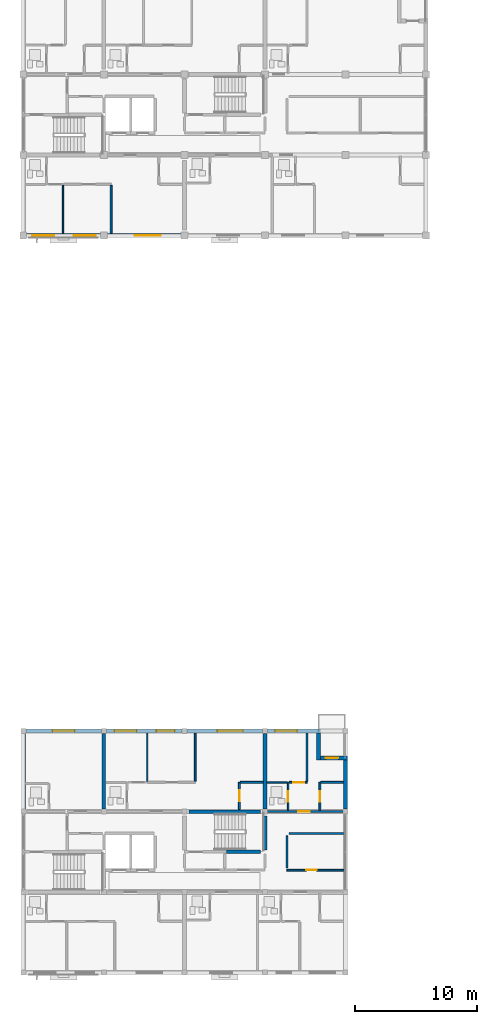
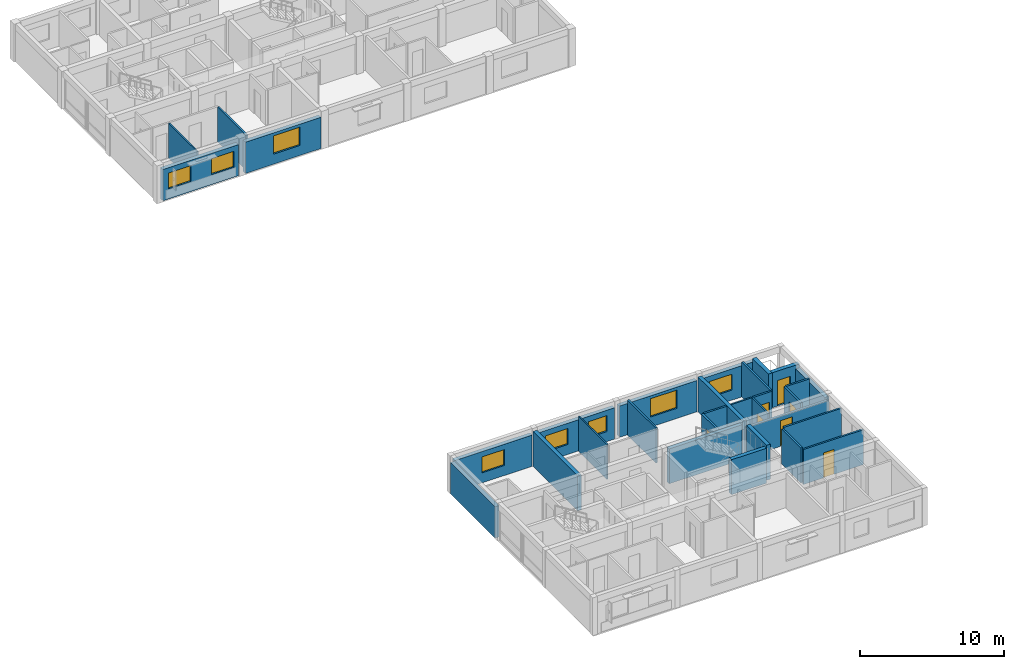
# One storey, part 29 of 53: 31 walls, 8 windows, 7 doors, 15 openings.
"""IFC4 building model written with IfcOpenShell, lengths in metres."""

from ifc_helpers import new_model, si_unit, direction, frame, frame_2d, origin, place, context, subcontext, project, spatial, rectangle, extrude, material, layer, layer_set, type_object, element, fill, save


model = new_model("IFC4")

# Units and contexts
model_context = context("Model", 3, precision=1e-05, world=origin(), true_north=direction((0.0, 1.0)))
body_context = subcontext(model_context, "Body", "Model", "MODEL_VIEW")
ifc_project = project(units=[si_unit("LENGTHUNIT", "METRE"), si_unit("AREAUNIT", "SQUARE_METRE"), si_unit("VOLUMEUNIT", "CUBIC_METRE"), si_unit("PLANEANGLEUNIT", "RADIAN"), si_unit("MASSUNIT", "GRAM", prefix="KILO")], contexts=[model_context])

# Site, building, storey
site_placement = place(None, origin())
site = spatial("IfcSite", under=ifc_project, at=site_placement, CompositionType="ELEMENT")
building_placement = place(site_placement, origin())
building = spatial("IfcBuilding", under=site, at=building_placement, Name="Kernevlak Ridge Housing Community", CompositionType="ELEMENT")
storey_placement = place(building_placement, frame((0.0, 0.0, 18.0)))
storey = spatial("IfcBuildingStorey", under=building, at=storey_placement, Name="L05", CompositionType="ELEMENT", Elevation=18.0)

# Wall, openings, windows
ifc_material_1 = material(Name="Concrete block masonry M10", Category="masonry")
ifc_layer_1 = layer(ifc_material_1, 0.320068359375, Name="Concrete block masonry M10")
ifc_layer_set_1 = layer_set([ifc_layer_1], Name="Concrete block masonry M10")
wall_type_1 = type_object("IfcWallType", Name="EW-02", PredefinedType="STANDARD", material=ifc_layer_set_1)
wall_1_placement = place(storey_placement, frame((15.875, 76.0, 0.0), z_axis=(0.0, 0.0, 1.0), x_axis=(1.0, 0.0, 0.0)))
wall_1 = element("IfcWall", 1, at=wall_1_placement, inside=storey, type_object=wall_type_1, Name="Exterior wall EW-02 L05 77", PredefinedType="STANDARD", context=body_context, shape_type="SweptSolid", body=[
    extrude(rectangle(XDim=6.050048828125, YDim=0.320068359375, at=frame_2d((3.02490234375, 0.0))), origin(), (0.0, 0.0, 1.0), 2.64990234375),
])
opening_1_placement = place(wall_1_placement, frame((0.449951171875, 0.0, 0.85009765625)))
opening_1 = element("IfcOpeningElement", 2, at=opening_1_placement, cuts=wall_1, Name="Opening WT-03", PredefinedType="OPENING", context=body_context, shape_type="SweptSolid", body=[
    extrude(rectangle(XDim=1.800048828125, YDim=1.35009765625, at=frame_2d((0.89990234375, 0.675048828125))), frame((0.0, 0.169921875, 0.0), z_axis=(0.0, -1.0, 0.0), x_axis=(1.0, 0.0, 0.0)), (0.0, 0.0, 1.0), 0.340087890625),
])
opening_2_placement = place(wall_1_placement, frame((3.875, 0.0, 0.85009765625)))
opening_2 = element("IfcOpeningElement", 3, at=opening_2_placement, cuts=wall_1, Name="Opening WT-03", PredefinedType="OPENING", context=body_context, shape_type="SweptSolid", body=[
    extrude(rectangle(XDim=1.800048828125, YDim=1.35009765625, at=frame_2d((0.89990234375, 0.675048828125))), frame((0.0, 0.169921875, 0.0), z_axis=(0.0, -1.0, 0.0), x_axis=(1.0, 0.0, 0.0)), (0.0, 0.0, 1.0), 0.340087890625),
])
ifc_material_2 = material(Name="Aluminium EN AW-6060 anodised and laminated glass", Category="aluminium")
window_type_1 = type_object("IfcWindowType", Name="WT-03", PartitioningType="SINGLE_PANEL", PredefinedType="WINDOW", material=ifc_material_2)
window_1_placement = place(opening_1_placement, origin())
window_1 = element("IfcWindow", 4, at=window_1_placement, inside=storey, type_object=window_type_1, Name="Window WT-03 L05 57", OverallHeight=1.35009765625, OverallWidth=1.800048828125, PartitioningType="SINGLE_PANEL", PredefinedType="WINDOW", context=body_context, shape_type="SweptSolid", body=[
    extrude(rectangle(XDim=1.800048828125, YDim=1.35009765625, at=frame_2d((0.89990234375, 0.675048828125))), frame((0.0, 0.030029296875, 0.0), z_axis=(0.0, -1.0, 0.0), x_axis=(1.0, 0.0, 0.0)), (0.0, 0.0, 1.0), 0.06005859375),
])
fill(opening_1, window_1)
window_2_placement = place(opening_2_placement, origin())
window_2 = element("IfcWindow", 5, at=window_2_placement, inside=storey, type_object=window_type_1, Name="Window WT-03 L05 58", OverallHeight=1.35009765625, OverallWidth=1.800048828125, PartitioningType="SINGLE_PANEL", PredefinedType="WINDOW", context=body_context, shape_type="SweptSolid", body=[
    extrude(rectangle(XDim=1.800048828125, YDim=1.35009765625, at=frame_2d((0.89990234375, 0.675048828125))), frame((0.0, 0.030029296875, 0.0), z_axis=(0.0, -1.0, 0.0), x_axis=(1.0, 0.0, 0.0)), (0.0, 0.0, 1.0), 0.06005859375),
])
fill(opening_2, window_2)

# Wall, opening, window
wall_2_placement = place(storey_placement, frame((22.47509765625, 76.0, 0.0), z_axis=(0.0, 0.0, 1.0), x_axis=(1.0, 0.0, 0.0)))
wall_2 = element("IfcWall", 6, at=wall_2_placement, inside=storey, type_object=wall_type_1, Name="Exterior wall EW-02 L05 78", PredefinedType="STANDARD", context=body_context, shape_type="SweptSolid", body=[
    extrude(rectangle(XDim=6.0498046875, YDim=0.320068359375, at=frame_2d((3.02490234375, 0.0))), origin(), (0.0, 0.0, 1.0), 2.64990234375),
])
opening_3_placement = place(wall_2_placement, frame((2.27099609375, 0.0, 0.85009765625)))
opening_3 = element("IfcOpeningElement", 7, at=opening_3_placement, cuts=wall_2, Name="Opening WT-05", PredefinedType="OPENING", context=body_context, shape_type="SweptSolid", body=[
    extrude(rectangle(XDim=2.10009765625, YDim=1.550048828125, at=frame_2d((1.050048828125, 0.77490234375))), frame((0.0, 0.169921875, 0.0), z_axis=(0.0, -1.0, 0.0), x_axis=(1.0, 0.0, 0.0)), (0.0, 0.0, 1.0), 0.340087890625),
])
window_type_2 = type_object("IfcWindowType", Name="WT-05", PartitioningType="SINGLE_PANEL", PredefinedType="WINDOW", material=ifc_material_2)
window_3_placement = place(opening_3_placement, origin())
window_3 = element("IfcWindow", 8, at=window_3_placement, inside=storey, type_object=window_type_2, Name="Window WT-05 L05 59", OverallHeight=1.550048828125, OverallWidth=2.10009765625, PartitioningType="SINGLE_PANEL", PredefinedType="WINDOW", context=body_context, shape_type="SweptSolid", body=[
    extrude(rectangle(XDim=2.10009765625, YDim=1.550048828125, at=frame_2d((1.050048828125, 0.77490234375))), frame((0.0, 0.030029296875, 0.0), z_axis=(0.0, -1.0, 0.0), x_axis=(1.0, 0.0, 0.0)), (0.0, 0.0, 1.0), 0.06005859375),
])
fill(opening_3, window_3)

wall_3_placement = place(storey_placement, frame((15.800048828125, 35.39990234375, 0.0), z_axis=(0.0, 0.0, 1.0), x_axis=(1.0, 0.0, 0.0)))
wall_3 = element("IfcWall", 9, at=wall_3_placement, inside=storey, type_object=wall_type_1, Name="Exterior wall EW-02 L05 785", PredefinedType="STANDARD", context=body_context, shape_type="SweptSolid", body=[
    extrude(rectangle(XDim=6.199951171875, YDim=0.320068359375, at=frame_2d((3.10009765625, 0.0))), origin(), (0.0, 0.0, 1.0), 2.64990234375),
])
opening_4_placement = place(wall_3_placement, frame((2.199951171875, 0.0, 0.85009765625)))
opening_4 = element("IfcOpeningElement", 10, at=opening_4_placement, cuts=wall_3, Name="Opening WT-03", PredefinedType="OPENING", context=body_context, shape_type="SweptSolid", body=[
    extrude(rectangle(XDim=1.800048828125, YDim=1.35009765625, at=frame_2d((0.89990234375, 0.675048828125))), frame((0.0, 0.169921875, 0.0), z_axis=(0.0, -1.0, 0.0), x_axis=(1.0, 0.0, 0.0)), (0.0, 0.0, 1.0), 0.340087890625),
])
window_4_placement = place(opening_4_placement, origin())
window_4 = element("IfcWindow", 11, at=window_4_placement, inside=storey, type_object=window_type_1, Name="Window WT-03 L05 656", OverallHeight=1.35009765625, OverallWidth=1.800048828125, PartitioningType="SINGLE_PANEL", PredefinedType="WINDOW", context=body_context, shape_type="SweptSolid", body=[
    extrude(rectangle(XDim=1.800048828125, YDim=1.35009765625, at=frame_2d((0.89990234375, 0.675048828125))), frame((0.0, 0.030029296875, 0.0), z_axis=(0.0, -1.0, 0.0), x_axis=(1.0, 0.0, 0.0)), (0.0, 0.0, 1.0), 0.06005859375),
])
fill(opening_4, window_4)

# Wall, openings, windows
wall_4_placement = place(storey_placement, frame((22.39990234375, 35.39990234375, 0.0), z_axis=(0.0, 0.0, 1.0), x_axis=(1.0, 0.0, 0.0)))
wall_4 = element("IfcWall", 12, at=wall_4_placement, inside=storey, type_object=wall_type_1, Name="Exterior wall EW-02 L05 786", PredefinedType="STANDARD", context=body_context, shape_type="SweptSolid", body=[
    extrude(rectangle(XDim=6.2001953125, YDim=0.320068359375, at=frame_2d((3.10009765625, 0.0))), origin(), (0.0, 0.0, 1.0), 2.64990234375),
])
opening_5_placement = place(wall_4_placement, frame((0.675048828125, 0.0, 0.85009765625)))
opening_5 = element("IfcOpeningElement", 13, at=opening_5_placement, cuts=wall_4, Name="Opening WT-03", PredefinedType="OPENING", context=body_context, shape_type="SweptSolid", body=[
    extrude(rectangle(XDim=1.800048828125, YDim=1.35009765625, at=frame_2d((0.89990234375, 0.675048828125))), frame((0.0, 0.169921875, 0.0), z_axis=(0.0, -1.0, 0.0), x_axis=(1.0, 0.0, 0.0)), (0.0, 0.0, 1.0), 0.340087890625),
])
opening_6_placement = place(wall_4_placement, frame((4.10009765625, 0.0, 0.85009765625)))
opening_6 = element("IfcOpeningElement", 14, at=opening_6_placement, cuts=wall_4, Name="Opening WT-02", PredefinedType="OPENING", context=body_context, shape_type="SweptSolid", body=[
    extrude(rectangle(XDim=1.5, YDim=1.35009765625, at=frame_2d((0.75, 0.675048828125))), frame((0.0, 0.169921875, 0.0), z_axis=(0.0, -1.0, 0.0), x_axis=(1.0, 0.0, 0.0)), (0.0, 0.0, 1.0), 0.340087890625),
])
window_type_3 = type_object("IfcWindowType", Name="WT-02", PartitioningType="SINGLE_PANEL", PredefinedType="WINDOW", material=ifc_material_2)
window_5_placement = place(opening_6_placement, origin())
window_5 = element("IfcWindow", 15, at=window_5_placement, inside=storey, type_object=window_type_3, Name="Window WT-02 L05 658", OverallHeight=1.35009765625, OverallWidth=1.5, PartitioningType="SINGLE_PANEL", PredefinedType="WINDOW", context=body_context, shape_type="SweptSolid", body=[
    extrude(rectangle(XDim=1.5, YDim=1.35009765625, at=frame_2d((0.75, 0.675048828125))), frame((0.0, 0.030029296875, 0.0), z_axis=(0.0, -1.0, 0.0), x_axis=(1.0, 0.0, 0.0)), (0.0, 0.0, 1.0), 0.06005859375),
])
fill(opening_6, window_5)
window_6_placement = place(opening_5_placement, origin())
window_6 = element("IfcWindow", 16, at=window_6_placement, inside=storey, type_object=window_type_1, Name="Window WT-03 L05 657", OverallHeight=1.35009765625, OverallWidth=1.800048828125, PartitioningType="SINGLE_PANEL", PredefinedType="WINDOW", context=body_context, shape_type="SweptSolid", body=[
    extrude(rectangle(XDim=1.800048828125, YDim=1.35009765625, at=frame_2d((0.89990234375, 0.675048828125))), frame((0.0, 0.030029296875, 0.0), z_axis=(0.0, -1.0, 0.0), x_axis=(1.0, 0.0, 0.0)), (0.0, 0.0, 1.0), 0.06005859375),
])
fill(opening_5, window_6)

# Wall, opening, window
wall_5_placement = place(storey_placement, frame((29.0, 35.39990234375, 0.0), z_axis=(0.0, 0.0, 1.0), x_axis=(1.0, 0.0, 0.0)))
wall_5 = element("IfcWall", 17, at=wall_5_placement, inside=storey, type_object=wall_type_1, Name="Exterior wall EW-02 L05 787", PredefinedType="STANDARD", context=body_context, shape_type="SweptSolid", body=[
    extrude(rectangle(XDim=6.199951171875, YDim=0.320068359375, at=frame_2d((3.10009765625, 0.0))), origin(), (0.0, 0.0, 1.0), 2.64990234375),
])
opening_7_placement = place(wall_5_placement, frame((2.49609375, 0.0, 0.85009765625)))
opening_7 = element("IfcOpeningElement", 18, at=opening_7_placement, cuts=wall_5, Name="Opening WT-05", PredefinedType="OPENING", context=body_context, shape_type="SweptSolid", body=[
    extrude(rectangle(XDim=2.10009765625, YDim=1.550048828125, at=frame_2d((1.050048828125, 0.77490234375))), frame((0.0, 0.169921875, 0.0), z_axis=(0.0, -1.0, 0.0), x_axis=(1.0, 0.0, 0.0)), (0.0, 0.0, 1.0), 0.340087890625),
])
window_7_placement = place(opening_7_placement, origin())
window_7 = element("IfcWindow", 19, at=window_7_placement, inside=storey, type_object=window_type_2, Name="Window WT-05 L05 659", OverallHeight=1.550048828125, OverallWidth=2.10009765625, PartitioningType="SINGLE_PANEL", PredefinedType="WINDOW", context=body_context, shape_type="SweptSolid", body=[
    extrude(rectangle(XDim=2.10009765625, YDim=1.550048828125, at=frame_2d((1.050048828125, 0.77490234375))), frame((0.0, 0.030029296875, 0.0), z_axis=(0.0, -1.0, 0.0), x_axis=(1.0, 0.0, 0.0)), (0.0, 0.0, 1.0), 0.06005859375),
])
fill(opening_7, window_7)

wall_6_placement = place(storey_placement, frame((35.60009765625, 35.39990234375, 0.0), z_axis=(0.0, 0.0, 1.0), x_axis=(1.0, 0.0, 0.0)))
wall_6 = element("IfcWall", 20, at=wall_6_placement, inside=storey, type_object=wall_type_1, Name="Exterior wall EW-02 L05 788", PredefinedType="STANDARD", context=body_context, shape_type="SweptSolid", body=[
    extrude(rectangle(XDim=4.35986328125, YDim=0.320068359375, at=frame_2d((2.179931640625, 0.0))), origin(), (0.0, 0.0, 1.0), 2.64990234375),
])
opening_8_placement = place(wall_6_placement, frame((0.625, 0.0, 0.85009765625)))
opening_8 = element("IfcOpeningElement", 21, at=opening_8_placement, cuts=wall_6, Name="Opening WT-03", PredefinedType="OPENING", context=body_context, shape_type="SweptSolid", body=[
    extrude(rectangle(XDim=1.800048828125, YDim=1.35009765625, at=frame_2d((0.89990234375, 0.675048828125))), frame((0.0, 0.169921875, 0.0), z_axis=(0.0, -1.0, 0.0), x_axis=(1.0, 0.0, 0.0)), (0.0, 0.0, 1.0), 0.340087890625),
])
window_8_placement = place(opening_8_placement, origin())
window_8 = element("IfcWindow", 22, at=window_8_placement, inside=storey, type_object=window_type_1, Name="Window WT-03 L05 660", OverallHeight=1.35009765625, OverallWidth=1.800048828125, PartitioningType="SINGLE_PANEL", PredefinedType="WINDOW", context=body_context, shape_type="SweptSolid", body=[
    extrude(rectangle(XDim=1.800048828125, YDim=1.35009765625, at=frame_2d((0.89990234375, 0.675048828125))), frame((0.0, 0.030029296875, 0.0), z_axis=(0.0, -1.0, 0.0), x_axis=(1.0, 0.0, 0.0)), (0.0, 0.0, 1.0), 0.06005859375),
])
fill(opening_8, window_8)

# Wall
wall_7_placement = place(storey_placement, frame((39.800048828125, 35.239990234375, 0.0), z_axis=(0.0, 0.0, 1.0), x_axis=(0.0, -1.0, 0.0)))
element("IfcWall", 23, at=wall_7_placement, inside=storey, type_object=wall_type_1, Name="Exterior wall EW-02 L05 789", PredefinedType="STANDARD", context=body_context, shape_type="SweptSolid", body=[
    extrude(rectangle(XDim=2.199951171875, YDim=0.320068359375, at=frame_2d((1.10009765625, 0.0))), origin(), (0.0, 0.0, 1.0), 2.9599609375),
])

# Wall, opening, door
wall_8_placement = place(storey_placement, frame((39.9599609375, 33.199951171875, 0.0), z_axis=(0.0, 0.0, 1.0), x_axis=(1.0, 0.0, 0.0)))
wall_8 = element("IfcWall", 24, at=wall_8_placement, inside=storey, type_object=wall_type_1, Name="Exterior wall EW-02 L05 790", PredefinedType="STANDARD", context=body_context, shape_type="SweptSolid", body=[
    extrude(rectangle(XDim=2.199951171875, YDim=0.320068359375, at=frame_2d((1.10009765625, 0.0))), origin(), (0.0, 0.0, 1.0), 2.9599609375),
])
opening_9_placement = place(wall_8_placement, frame((0.429931640625, 0.0, 0.0)))
opening_9 = element("IfcOpeningElement", 25, at=opening_9_placement, cuts=wall_8, Name="Opening E674", PredefinedType="OPENING", context=body_context, shape_type="SweptSolid", body=[
    extrude(rectangle(XDim=1.02001953125, YDim=2.159912109375, at=frame_2d((0.510009765625, 1.080078125))), frame((0.0, 0.169921875, 0.0), z_axis=(0.0, -1.0, 0.0), x_axis=(1.0, 0.0, 0.0)), (0.0, 0.0, 1.0), 0.340087890625),
])
ifc_material_3 = material(Name="Aluminium EN AW-6060 and laminated safety glass", Category="aluminium")
door_type_1 = type_object("IfcDoorType", Name="DT-33", OperationType="NOTDEFINED", PredefinedType="DOOR", material=ifc_material_3)
door_1_placement = place(opening_9_placement, origin())
door_1 = element("IfcDoor", 26, at=door_1_placement, inside=storey, type_object=door_type_1, Name="Flat D0523 corner balcony glazed door E674", OperationType="SINGLE_SWING_LEFT", OverallHeight=2.159912109375, OverallWidth=1.02001953125, PredefinedType="DOOR", context=body_context, shape_type="SweptSolid", body=[
    extrude(rectangle(XDim=1.02001953125, YDim=2.159912109375, at=frame_2d((0.510009765625, 1.080078125))), frame((0.0, 0.02490234375, 0.0), z_axis=(0.0, -1.0, 0.0), x_axis=(1.0, 0.0, 0.0)), (0.0, 0.0, 1.0), 0.050048828125),
])
fill(opening_9, door_1)

# Walls
wall_9_placement = place(storey_placement, frame((15.60009765625, 29.0, 0.0), z_axis=(0.0, 0.0, 1.0), x_axis=(0.0, 1.0, 0.0)))
element("IfcWall", 27, at=wall_9_placement, inside=storey, type_object=wall_type_1, Name="Exterior wall EW-02 L05 792", PredefinedType="STANDARD", context=body_context, shape_type="SweptSolid", body=[
    extrude(rectangle(XDim=6.199951171875, YDim=0.320068359375, at=frame_2d((3.10009765625, 0.0))), origin(), (0.0, 0.0, 1.0), 2.64990234375),
])
wall_10_placement = place(storey_placement, frame((42.0, 29.0, 0.0), z_axis=(0.0, 0.0, 1.0), x_axis=(0.0, 1.0, 0.0)))
element("IfcWall", 28, at=wall_10_placement, inside=storey, type_object=wall_type_1, Name="Exterior wall EW-02 L05 794", PredefinedType="STANDARD", context=body_context, shape_type="SweptSolid", body=[
    extrude(rectangle(XDim=4.0400390625, YDim=0.320068359375, at=frame_2d((2.02001953125, 0.0))), origin(), (0.0, 0.0, 1.0), 2.64990234375),
])

# Wall, opening, door
ifc_layer_2 = layer(ifc_material_1, 0.175048828125, Name="Concrete block masonry M10")
ifc_layer_set_2 = layer_set([ifc_layer_2], Name="Concrete block masonry M10")
wall_type_2 = type_object("IfcWallType", Name="PW-02", PredefinedType="PARTITIONING", material=ifc_layer_set_2)
wall_11_placement = place(storey_placement, frame((35.39990234375, 28.800048828125, 0.0), z_axis=(0.0, 0.0, 1.0), x_axis=(1.0, 0.0, 0.0)))
wall_11 = element("IfcWall", 29, at=wall_11_placement, inside=storey, type_object=wall_type_2, Name="Interior wall PW-02 WAL-INT-L05-3294", PredefinedType="PARTITIONING", context=body_context, shape_type="SweptSolid", body=[
    extrude(rectangle(XDim=6.60009765625, YDim=0.175048828125, at=frame_2d((3.300048828125, 0.0))), origin(), (0.0, 0.0, 1.0), 2.550048828125),
])
opening_10_placement = place(wall_11_placement, frame((2.72509765625, 0.0, 0.0)))
opening_10 = element("IfcOpeningElement", 30, at=opening_10_placement, cuts=wall_11, Name="Opening E670", PredefinedType="OPENING", context=body_context, shape_type="SweptSolid", body=[
    extrude(rectangle(XDim=0.9599609375, YDim=2.179931640625, at=frame_2d((0.47998046875, 1.08984375))), frame((0.0, 0.097412109375, 0.0), z_axis=(0.0, -1.0, 0.0), x_axis=(1.0, 0.0, 0.0)), (0.0, 0.0, 1.0), 0.195068359375),
])
ifc_material_4 = material(Name="Hardwood timber solid-core fire leaf", Category="wood")
door_type_2 = type_object("IfcDoorType", Name="DT-29", OperationType="NOTDEFINED", PredefinedType="DOOR", material=ifc_material_4)
door_2_placement = place(opening_10_placement, origin())
door_2 = element("IfcDoor", 31, at=door_2_placement, inside=storey, type_object=door_type_2, Name="Flat D0523 entrance fire door E670", OperationType="SINGLE_SWING_LEFT", OverallHeight=2.179931640625, OverallWidth=0.9599609375, PredefinedType="DOOR", context=body_context, shape_type="SweptSolid", body=[
    extrude(rectangle(XDim=0.9599609375, YDim=2.179931640625, at=frame_2d((0.47998046875, 1.08984375))), frame((0.0, 0.02490234375, 0.0), z_axis=(0.0, -1.0, 0.0), x_axis=(1.0, 0.0, 0.0)), (0.0, 0.0, 1.0), 0.050048828125),
])
fill(opening_10, door_2)

# Wall
ifc_layer_3 = layer(ifc_material_1, 0.14501953125, Name="Concrete block masonry M10")
ifc_layer_set_3 = layer_set([ifc_layer_3], Name="Concrete block masonry M10")
wall_type_3 = type_object("IfcWallType", Name="PW-03", PredefinedType="PARTITIONING", material=ifc_layer_set_3)
wall_12_placement = place(storey_placement, frame((22.7919921875, 80.117431640625, 0.0), z_axis=(0.0, 0.0, 1.0), x_axis=(0.0, -1.0, 0.0)))
element("IfcWall", 32, at=wall_12_placement, inside=storey, type_object=wall_type_3, Name="Interior wall PW-03 WAL-INT-L05-0338", PredefinedType="PARTITIONING", context=body_context, shape_type="SweptSolid", body=[
    extrude(rectangle(XDim=3.947509765625, YDim=0.14501953125, at=frame_2d((1.9736328125, 0.0))), origin(), (0.0, 0.0, 1.0), 2.9599609375),
])

# Wall, opening, door
wall_13_placement = place(storey_placement, frame((37.199951171875, 24.0, 0.0), z_axis=(0.0, 0.0, 1.0), x_axis=(1.0, 0.0, 0.0)))
wall_13 = element("IfcWall", 33, at=wall_13_placement, inside=storey, type_object=wall_type_3, Name="Interior wall PW-03 WAL-INT-L05-3258", PredefinedType="PARTITIONING", context=body_context, shape_type="SweptSolid", body=[
    extrude(rectangle(XDim=4.800048828125, YDim=0.14501953125, at=frame_2d((2.39990234375, 0.0))), origin(), (0.0, 0.0, 1.0), 2.9599609375),
])
opening_11_placement = place(wall_13_placement, frame((1.60009765625, 0.0, 0.0)))
opening_11 = element("IfcOpeningElement", 34, at=opening_11_placement, cuts=wall_13, Name="Opening E651", PredefinedType="OPENING", context=body_context, shape_type="SweptSolid", body=[
    extrude(rectangle(XDim=0.860107421875, YDim=2.1201171875, at=frame_2d((0.43017578125, 1.06005859375))), frame((0.0, 0.08251953125, 0.0), z_axis=(0.0, -1.0, 0.0), x_axis=(1.0, 0.0, 0.0)), (0.0, 0.0, 1.0), 0.1650390625),
])
ifc_material_5 = material(Name="Hardwood timber leaf", Category="wood")
door_type_3 = type_object("IfcDoorType", Name="DT-28", OperationType="NOTDEFINED", PredefinedType="DOOR", material=ifc_material_5)
door_3_placement = place(opening_11_placement, origin())
door_3 = element("IfcDoor", 35, at=door_3_placement, inside=storey, type_object=door_type_3, Name="Block D Laundry room door E651", OperationType="SINGLE_SWING_RIGHT", OverallHeight=2.1201171875, OverallWidth=0.860107421875, PredefinedType="DOOR", context=body_context, shape_type="SweptSolid", body=[
    extrude(rectangle(XDim=0.860107421875, YDim=2.1201171875, at=frame_2d((0.43017578125, 1.06005859375))), frame((0.0, 0.02490234375, 0.0), z_axis=(0.0, -1.0, 0.0), x_axis=(1.0, 0.0, 0.0)), (0.0, 0.0, 1.0), 0.050048828125),
])
fill(opening_11, door_3)

# Walls
wall_14_placement = place(storey_placement, frame((37.3798828125, 27.0, 0.0), z_axis=(0.0, 0.0, 1.0), x_axis=(1.0, 0.0, 0.0)))
element("IfcWall", 36, at=wall_14_placement, inside=storey, type_object=wall_type_3, Name="Interior wall PW-03 WAL-INT-L05-3259", PredefinedType="PARTITIONING", context=body_context, shape_type="SweptSolid", body=[
    extrude(rectangle(XDim=4.60009765625, YDim=0.14501953125, at=frame_2d((2.300048828125, 0.0))), origin(), (0.0, 0.0, 1.0), 2.9599609375),
])
wall_15_placement = place(storey_placement, frame((37.199951171875, 24.179931640625, 0.0), z_axis=(0.0, 0.0, 1.0), x_axis=(0.0, 1.0, 0.0)))
element("IfcWall", 37, at=wall_15_placement, inside=storey, type_object=wall_type_3, Name="Interior wall PW-03 WAL-INT-L05-3260", PredefinedType="PARTITIONING", context=body_context, shape_type="SweptSolid", body=[
    extrude(rectangle(XDim=2.64013671875, YDim=0.14501953125, at=frame_2d((1.320068359375, 0.0))), origin(), (0.0, 0.0, 1.0), 2.9599609375),
])
wall_16_placement = place(storey_placement, frame((29.69189453125, 31.282470703125, 0.0), z_axis=(0.0, 0.0, 1.0), x_axis=(0.0, 1.0, 0.0)))
element("IfcWall", 38, at=wall_16_placement, inside=storey, type_object=wall_type_3, Name="Interior wall PW-03 WAL-INT-L05-3293", PredefinedType="PARTITIONING", context=body_context, shape_type="SweptSolid", body=[
    extrude(rectangle(XDim=3.947509765625, YDim=0.14501953125, at=frame_2d((1.9736328125, 0.0))), origin(), (0.0, 0.0, 1.0), 2.9599609375),
])

# Wall, opening, door
wall_17_placement = place(storey_placement, frame((37.37255859375, 31.199951171875, 0.0), z_axis=(0.0, 0.0, 1.0), x_axis=(1.0, 0.0, 0.0)))
wall_17 = element("IfcWall", 39, at=wall_17_placement, inside=storey, type_object=wall_type_3, Name="Interior wall PW-03 WAL-INT-L05-3299", PredefinedType="PARTITIONING", context=body_context, shape_type="SweptSolid", body=[
    extrude(rectangle(XDim=1.4775390625, YDim=0.14501953125, at=frame_2d((0.73876953125, 0.0))), origin(), (0.0, 0.0, 1.0), 2.9599609375),
])
opening_12_placement = place(wall_17_placement, frame((0.35009765625, 0.0, 0.0)))
opening_12 = element("IfcOpeningElement", 40, at=opening_12_placement, cuts=wall_17, Name="Opening E673", PredefinedType="OPENING", context=body_context, shape_type="SweptSolid", body=[
    extrude(rectangle(XDim=0.89990234375, YDim=2.10009765625, at=frame_2d((0.449951171875, 1.050048828125))), frame((0.0, 0.08251953125, 0.0), z_axis=(0.0, -1.0, 0.0), x_axis=(1.0, 0.0, 0.0)), (0.0, 0.0, 1.0), 0.1650390625),
])
door_type_4 = type_object("IfcDoorType", Name="DT-21", OperationType="NOTDEFINED", PredefinedType="DOOR", material=ifc_material_5)
door_4_placement = place(opening_12_placement, origin())
door_4 = element("IfcDoor", 41, at=door_4_placement, inside=storey, type_object=door_type_4, Name="Flat D0523 bedroom door E673", OperationType="SINGLE_SWING_RIGHT", OverallHeight=2.10009765625, OverallWidth=0.89990234375, PredefinedType="DOOR", context=body_context, shape_type="SweptSolid", body=[
    extrude(rectangle(XDim=0.89990234375, YDim=2.10009765625, at=frame_2d((0.449951171875, 1.050048828125))), frame((0.0, 0.02490234375, 0.0), z_axis=(0.0, -1.0, 0.0), x_axis=(1.0, 0.0, 0.0)), (0.0, 0.0, 1.0), 0.050048828125),
])
fill(opening_12, door_4)

# Wall
wall_18_placement = place(storey_placement, frame((38.85009765625, 31.282470703125, 0.0), z_axis=(0.0, 0.0, 1.0), x_axis=(0.0, 1.0, 0.0)))
element("IfcWall", 42, at=wall_18_placement, inside=storey, type_object=wall_type_3, Name="Interior wall PW-03 WAL-INT-L05-3300", PredefinedType="PARTITIONING", context=body_context, shape_type="SweptSolid", body=[
    extrude(rectangle(XDim=3.947509765625, YDim=0.14501953125, at=frame_2d((1.9736328125, 0.0))), origin(), (0.0, 0.0, 1.0), 2.9599609375),
])

# Wall, opening, door
ifc_material_6 = material(Name="Gypsum plasterboard EN 520", Category="gypsum")
ifc_layer_4 = layer(ifc_material_6, 0.125, Name="Gypsum plasterboard EN 520")
ifc_layer_set_4 = layer_set([ifc_layer_4], Name="Gypsum plasterboard EN 520")
wall_type_4 = type_object("IfcWallType", Name="PW-04", PredefinedType="PARTITIONING", material=ifc_layer_set_4)
wall_19_placement = place(storey_placement, frame((37.300048828125, 28.8974609375, 0.0), z_axis=(0.0, 0.0, 1.0), x_axis=(0.0, 1.0, 0.0)))
wall_19 = element("IfcWall", 43, at=wall_19_placement, inside=storey, type_object=wall_type_4, Name="Interior wall PW-04 WAL-INT-L05-3295", PredefinedType="PARTITIONING", context=body_context, shape_type="SweptSolid", body=[
    extrude(rectangle(XDim=2.302490234375, YDim=0.125, at=frame_2d((1.1513671875, 0.0))), origin(), (0.0, 0.0, 1.0), 2.9599609375),
])
opening_13_placement = place(wall_19_placement, frame((0.699951171875, 0.0, 0.0)))
opening_13 = element("IfcOpeningElement", 44, at=opening_13_placement, cuts=wall_19, Name="Opening E671", PredefinedType="OPENING", context=body_context, shape_type="SweptSolid", body=[
    extrude(rectangle(XDim=0.85009765625, YDim=2.0400390625, at=frame_2d((0.425048828125, 1.02001953125))), frame((0.0, 0.072509765625, 0.0), z_axis=(0.0, -1.0, 0.0), x_axis=(1.0, 0.0, 0.0)), (0.0, 0.0, 1.0), 0.14501953125),
])
ifc_material_7 = material(Name="Hardwood timber moisture-resistant leaf", Category="wood")
door_type_5 = type_object("IfcDoorType", Name="DT-04", OperationType="NOTDEFINED", PredefinedType="DOOR", material=ifc_material_7)
door_5_placement = place(opening_13_placement, origin())
door_5 = element("IfcDoor", 45, at=door_5_placement, inside=storey, type_object=door_type_5, Name="Flat D0523 bathroom door E671", OperationType="SINGLE_SWING_RIGHT", OverallHeight=2.0400390625, OverallWidth=0.85009765625, PredefinedType="DOOR", context=body_context, shape_type="SweptSolid", body=[
    extrude(rectangle(XDim=0.85009765625, YDim=2.0400390625, at=frame_2d((0.425048828125, 1.02001953125))), frame((0.0, 0.02490234375, 0.0), z_axis=(0.0, -1.0, 0.0), x_axis=(1.0, 0.0, 0.0)), (0.0, 0.0, 1.0), 0.050048828125),
])
fill(opening_13, door_5)

# Wall
wall_20_placement = place(storey_placement, frame((35.56005859375, 31.199951171875, 0.0), z_axis=(0.0, 0.0, 1.0), x_axis=(1.0, 0.0, 0.0)))
element("IfcWall", 46, at=wall_20_placement, inside=storey, type_object=wall_type_4, Name="Interior wall PW-04 WAL-INT-L05-3296", PredefinedType="PARTITIONING", context=body_context, shape_type="SweptSolid", body=[
    extrude(rectangle(XDim=1.659912109375, YDim=0.125, at=frame_2d((0.830078125, 0.0))), origin(), (0.0, 0.0, 1.0), 2.9599609375),
])

# Wall, opening, door
ifc_layer_5 = layer(ifc_material_6, 0.155029296875, Name="Gypsum plasterboard EN 520")
ifc_layer_set_5 = layer_set([ifc_layer_5], Name="Gypsum plasterboard EN 520")
wall_type_5 = type_object("IfcWallType", Name="PW-05", PredefinedType="PARTITIONING", material=ifc_layer_set_5)
wall_21_placement = place(storey_placement, frame((33.300048828125, 28.9599609375, 0.0), z_axis=(0.0, 0.0, 1.0), x_axis=(0.0, 1.0, 0.0)))
wall_21 = element("IfcWall", 47, at=wall_21_placement, inside=storey, type_object=wall_type_5, Name="Interior wall PW-05 WAL-INT-L05-3288", PredefinedType="PARTITIONING", context=body_context, shape_type="SweptSolid", body=[
    extrude(rectangle(XDim=2.239990234375, YDim=0.155029296875, at=frame_2d((1.1201171875, 0.0))), origin(), (0.0, 0.0, 1.0), 2.9599609375),
])
opening_14_placement = place(wall_21_placement, frame((0.699951171875, 0.0, 0.0)))
opening_14 = element("IfcOpeningElement", 48, at=opening_14_placement, cuts=wall_21, Name="Opening E667", PredefinedType="OPENING", context=body_context, shape_type="SweptSolid", body=[
    extrude(rectangle(XDim=0.8798828125, YDim=2.10009765625, at=frame_2d((0.43994140625, 1.050048828125))), frame((0.0, 0.08740234375, 0.0), z_axis=(0.0, -1.0, 0.0), x_axis=(1.0, 0.0, 0.0)), (0.0, 0.0, 1.0), 0.175048828125),
])
door_type_6 = type_object("IfcDoorType", Name="DT-25", OperationType="NOTDEFINED", PredefinedType="DOOR", material=ifc_material_5)
door_6_placement = place(opening_14_placement, origin())
door_6 = element("IfcDoor", 49, at=door_6_placement, inside=storey, type_object=door_type_6, Name="Flat D0522 kitchen door E667", OperationType="SINGLE_SWING_RIGHT", OverallHeight=2.10009765625, OverallWidth=0.8798828125, PredefinedType="DOOR", context=body_context, shape_type="SweptSolid", body=[
    extrude(rectangle(XDim=0.8798828125, YDim=2.10009765625, at=frame_2d((0.43994140625, 1.050048828125))), frame((0.0, 0.02490234375, 0.0), z_axis=(0.0, -1.0, 0.0), x_axis=(1.0, 0.0, 0.0)), (0.0, 0.0, 1.0), 0.050048828125),
])
fill(opening_14, door_6)

# Wall
wall_22_placement = place(storey_placement, frame((33.387451171875, 31.199951171875, 0.0), z_axis=(0.0, 0.0, 1.0), x_axis=(1.0, 0.0, 0.0)))
element("IfcWall", 50, at=wall_22_placement, inside=storey, type_object=wall_type_5, Name="Interior wall PW-05 WAL-INT-L05-3289", PredefinedType="PARTITIONING", context=body_context, shape_type="SweptSolid", body=[
    extrude(rectangle(XDim=1.8525390625, YDim=0.155029296875, at=frame_2d((0.92626953125, 0.0))), origin(), (0.0, 0.0, 1.0), 2.9599609375),
])

# Wall, opening, door
wall_23_placement = place(storey_placement, frame((39.89990234375, 28.8974609375, 0.0), z_axis=(0.0, 0.0, 1.0), x_axis=(0.0, 1.0, 0.0)))
wall_23 = element("IfcWall", 51, at=wall_23_placement, inside=storey, type_object=wall_type_5, Name="Interior wall PW-05 WAL-INT-L05-3297", PredefinedType="PARTITIONING", context=body_context, shape_type="SweptSolid", body=[
    extrude(rectangle(XDim=2.302490234375, YDim=0.155029296875, at=frame_2d((1.1513671875, 0.0))), origin(), (0.0, 0.0, 1.0), 2.9599609375),
])
opening_15_placement = place(wall_23_placement, frame((0.699951171875, 0.0, 0.0)))
opening_15 = element("IfcOpeningElement", 52, at=opening_15_placement, cuts=wall_23, Name="Opening E672", PredefinedType="OPENING", context=body_context, shape_type="SweptSolid", body=[
    extrude(rectangle(XDim=0.85009765625, YDim=2.10009765625, at=frame_2d((0.425048828125, 1.050048828125))), frame((0.0, 0.08740234375, 0.0), z_axis=(0.0, -1.0, 0.0), x_axis=(1.0, 0.0, 0.0)), (0.0, 0.0, 1.0), 0.175048828125),
])
door_type_7 = type_object("IfcDoorType", Name="DT-03", OperationType="NOTDEFINED", PredefinedType="DOOR", material=ifc_material_5)
door_7_placement = place(opening_15_placement, origin())
door_7 = element("IfcDoor", 53, at=door_7_placement, inside=storey, type_object=door_type_7, Name="Flat D0523 kitchen door E672", OperationType="SINGLE_SWING_LEFT", OverallHeight=2.10009765625, OverallWidth=0.85009765625, PredefinedType="DOOR", context=body_context, shape_type="SweptSolid", body=[
    extrude(rectangle(XDim=0.85009765625, YDim=2.10009765625, at=frame_2d((0.425048828125, 1.050048828125))), frame((0.0, 0.02490234375, 0.0), z_axis=(0.0, -1.0, 0.0), x_axis=(1.0, 0.0, 0.0)), (0.0, 0.0, 1.0), 0.050048828125),
])
fill(opening_15, door_7)

# Walls
wall_24_placement = place(storey_placement, frame((39.987548828125, 31.199951171875, 0.0), z_axis=(0.0, 0.0, 1.0), x_axis=(1.0, 0.0, 0.0)))
element("IfcWall", 54, at=wall_24_placement, inside=storey, type_object=wall_type_5, Name="Interior wall PW-05 WAL-INT-L05-3298", PredefinedType="PARTITIONING", context=body_context, shape_type="SweptSolid", body=[
    extrude(rectangle(XDim=1.842529296875, YDim=0.155029296875, at=frame_2d((0.92138671875, 0.0))), origin(), (0.0, 0.0, 1.0), 2.9599609375),
])
ifc_layer_6 = layer(ifc_material_6, 0.10498046875, Name="Gypsum plasterboard EN 520")
ifc_layer_set_6 = layer_set([ifc_layer_6], Name="Gypsum plasterboard EN 520")
wall_type_6 = type_object("IfcWallType", Name="PW-06", PredefinedType="PARTITIONING", material=ifc_layer_set_6)
for number, where, z_axis, x_axis, name in (
    (55, (18.85009765625, 80.117431640625, 0.0), (0.0, 0.0, 1.0), (0.0, -1.0, 0.0), "Interior wall PW-06 WAL-INT-L05-0336"),
    (56, (25.75, 31.282470703125, 0.0), (0.0, 0.0, 1.0), (0.0, 1.0, 0.0), "Interior wall PW-06 WAL-INT-L05-3291"),
):
    element("IfcWall", number, at=place(storey_placement, frame(where, z_axis=z_axis, x_axis=x_axis)), inside=storey, type_object=wall_type_6, Name=name, PredefinedType="PARTITIONING", context=body_context, shape_type="SweptSolid", body=[
        extrude(rectangle(XDim=3.947509765625, YDim=0.10498046875, at=frame_2d((1.9736328125, 0.0))), origin(), (0.0, 0.0, 1.0), 2.9599609375),
    ])
ifc_material_8 = material(Name="Concrete C40/50", Category="concrete")
ifc_layer_7 = layer(ifc_material_8, 0.300048828125, Name="Concrete C40/50")
ifc_layer_set_7 = layer_set([ifc_layer_7], Name="Concrete C40/50")
wall_type_7 = type_object("IfcWallType", Name="SW-02", PredefinedType="SHEAR", material=ifc_layer_set_7)
wall_25_placement = place(storey_placement, frame((29.179931640625, 28.800048828125, 0.0), z_axis=(0.0, 0.0, 1.0), x_axis=(1.0, 0.0, 0.0)))
element("IfcWall", 57, at=wall_25_placement, inside=storey, type_object=wall_type_7, Name="Shear wall SW-02 Block D L05 560", PredefinedType="SHEAR", context=body_context, shape_type="SweptSolid", body=[
    extrude(rectangle(XDim=5.840087890625, YDim=0.300048828125, at=frame_2d((2.919921875, 0.0))), origin(), (0.0, 0.0, 1.0), 2.9599609375),
])
for number, where, z_axis, x_axis, name in (
    (58, (32.25, 25.5, 0.0), (0.0, 0.0, 1.0), (1.0, 0.0, 0.0), "Shear wall SW-02 Block D L05 561"),
    (59, (35.39990234375, 25.64990234375, 0.0), (0.0, 0.0, 1.0), (0.0, 1.0, 0.0), "Shear wall SW-02 Block D L05 563"),
):
    element("IfcWall", number, at=place(storey_placement, frame(where, z_axis=z_axis, x_axis=x_axis)), inside=storey, type_object=wall_type_7, Name=name, PredefinedType="SHEAR", context=body_context, shape_type="SweptSolid", body=[
        extrude(rectangle(XDim=2.800048828125, YDim=0.300048828125, at=frame_2d((1.39990234375, 0.0))), origin(), (0.0, 0.0, 1.0), 2.9599609375),
    ])
for number, where, z_axis, x_axis, name in (
    (60, (22.199951171875, 29.0, 0.0), (0.0, 0.0, 1.0), (0.0, 1.0, 0.0), "Shear wall SW-02 Block D L05 565"),
    (61, (35.39990234375, 29.0, 0.0), (0.0, 0.0, 1.0), (0.0, 1.0, 0.0), "Shear wall SW-02 Block D L05 566"),
):
    element("IfcWall", number, at=place(storey_placement, frame(where, z_axis=z_axis, x_axis=x_axis)), inside=storey, type_object=wall_type_7, Name=name, PredefinedType="SHEAR", context=body_context, shape_type="SweptSolid", body=[
        extrude(rectangle(XDim=6.199951171875, YDim=0.300048828125, at=frame_2d((3.10009765625, 0.0))), origin(), (0.0, 0.0, 1.0), 2.9599609375),
    ])

save(model, "model.ifc")
